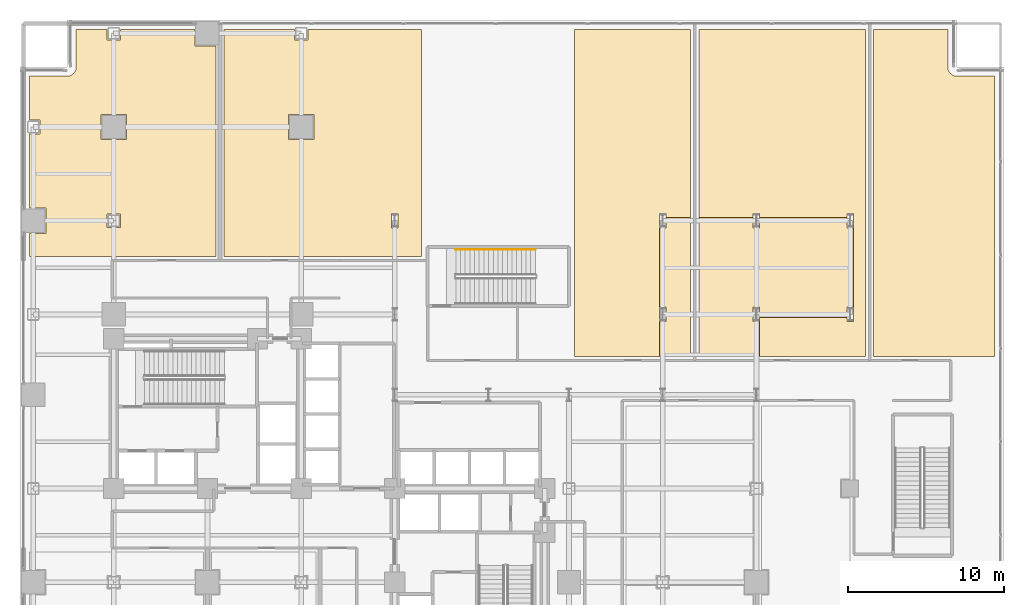
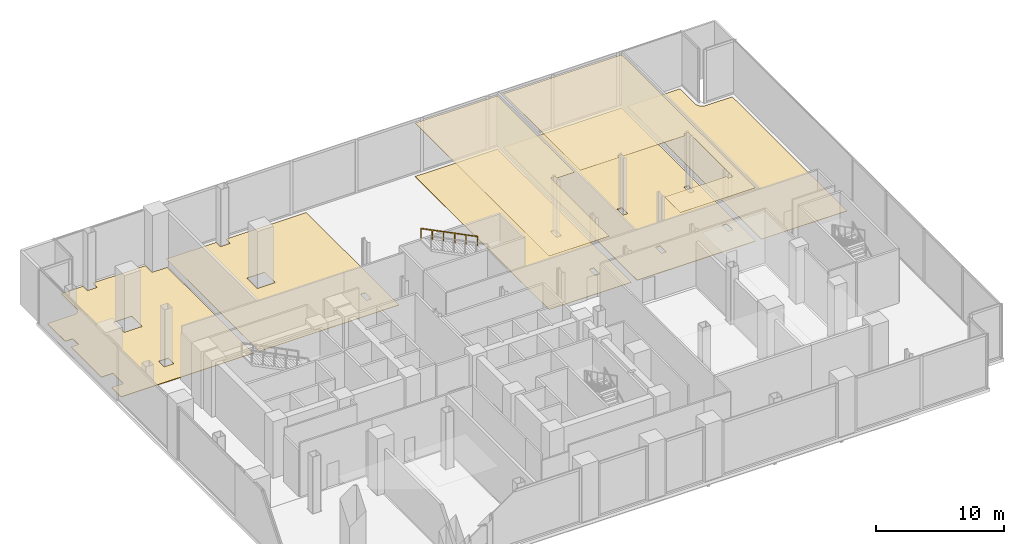
# One storey, part 27 of 27: 7 coverings, 1 railing.
"""IFC4 building model written with IfcOpenShell, lengths in metres."""

from ifc_helpers import new_model, si_unit, direction, frame, origin, origin_2d, place, context, subcontext, project, spatial, polyline, rectangle, outline, extrude, material, layer, layer_set, type_object, element, save


model = new_model("IFC4")

# Units and contexts
model_context = context("Model", 3, precision=1e-05, world=origin(), true_north=direction((0.0, 1.0)))
body_context = subcontext(model_context, "Body", "Model", "MODEL_VIEW")
ifc_project = project(units=[si_unit("LENGTHUNIT", "METRE"), si_unit("AREAUNIT", "SQUARE_METRE"), si_unit("VOLUMEUNIT", "CUBIC_METRE"), si_unit("PLANEANGLEUNIT", "RADIAN"), si_unit("MASSUNIT", "GRAM", prefix="KILO"), si_unit("THERMODYNAMICTEMPERATUREUNIT", "KELVIN"), si_unit("POWERUNIT", "WATT")], contexts=[model_context])

# Site, building, storey
site_placement = place(None, origin())
site = spatial("IfcSite", under=ifc_project, at=site_placement, CompositionType="ELEMENT")
building_placement = place(site_placement, origin())
building = spatial("IfcBuilding", under=site, at=building_placement, Name="Svarakhadi Broadcast Tower", CompositionType="ELEMENT")
storey_placement = place(building_placement, frame((0.0, 0.0, 5.699951171875)))
storey = spatial("IfcBuildingStorey", under=building, at=storey_placement, Name="L01", CompositionType="ELEMENT", Elevation=5.699951171875)

# Coverings
ifc_material_1 = material(Name="Micro-Perforated Mineral Fibre Acoustic Ceiling Tile", Category="mineral_fibre")
ifc_layer_1 = layer(ifc_material_1, 0.02490234375)
ifc_layer_set_1 = layer_set([ifc_layer_1], Name="Micro-Perforated Mineral Fibre Acoustic Ceiling Tile")
covering_type_1 = type_object("IfcCoveringType", Name="Cov_Ceiling_Tile", PredefinedType="CEILING", material=ifc_layer_set_1)
covering_1_placement = place(storey_placement, frame((0.0, 0.0, 5.10009765625)))
element("IfcCovering", 1, at=covering_1_placement, inside=storey, type_object=covering_type_1, Name="L01 L01 Satellite Ingest and Playout Office Acoustic Ceiling", PredefinedType="CEILING", context=body_context, shape_type="SweptSolid", body=[
    extrude(outline(polyline([(42.93994140625, 47.389892578125), (42.93994140625, 35.360107421875), (41.360107421875, 35.360107421875), (41.360107421875, 35.610107421875), (40.93994140625, 35.610107421875), (40.93994140625, 35.360107421875), (40.93994140625, 34.93994140625), (40.93994140625, 34.68994140625), (40.93994140625, 29.610107421875), (40.93994140625, 29.360107421875), (40.93994140625, 28.93994140625), (40.93994140625, 28.68994140625), (40.93994140625, 26.4599609375), (35.510009765625, 26.4599609375), (35.510009765625, 47.389892578125), (42.93994140625, 47.389892578125)])), origin(), (0.0, 0.0, 1.0), 0.02490234375),
])
covering_2_placement = place(storey_placement, frame((0.0, 0.0, 5.10009765625)))
element("IfcCovering", 2, at=covering_2_placement, inside=storey, type_object=covering_type_1, Name="L01 L01 Editorial Conference Room Acoustic Ceiling", PredefinedType="CEILING", context=body_context, shape_type="SweptSolid", body=[
    extrude(outline(polyline([(54.139892578125, 47.389892578125), (54.139892578125, 26.4599609375), (47.360107421875, 26.4599609375), (47.360107421875, 28.68994140625), (47.360107421875, 28.93994140625), (52.93994140625, 28.93994140625), (52.93994140625, 28.68994140625), (53.360107421875, 28.68994140625), (53.360107421875, 28.93994140625), (53.360107421875, 29.360107421875), (53.360107421875, 29.610107421875), (53.360107421875, 34.68994140625), (53.360107421875, 34.93994140625), (53.360107421875, 35.360107421875), (53.360107421875, 35.610107421875), (52.93994140625, 35.610107421875), (52.93994140625, 35.360107421875), (47.360107421875, 35.360107421875), (47.360107421875, 35.610107421875), (46.93994140625, 35.610107421875), (46.93994140625, 35.360107421875), (43.4599609375, 35.360107421875), (43.4599609375, 47.389892578125), (54.139892578125, 47.389892578125)])), origin(), (0.0, 0.0, 1.0), 0.02490234375),
])
ifc_material_2 = material(Name="Heavy-Duty Anti-Static Broadcast Raised Access Floor", Category="steel")
ifc_layer_2 = layer(ifc_material_2, 0.050048828125)
ifc_layer_set_2 = layer_set([ifc_layer_2], Name="Heavy-Duty Anti-Static Broadcast Raised Access Floor")
covering_type_2 = type_object("IfcCoveringType", Name="Cov_Floor_Access", PredefinedType="FLOORING", material=ifc_layer_set_2)
covering_3_placement = place(storey_placement, origin())
element("IfcCovering", 3, at=covering_3_placement, inside=storey, type_object=covering_type_2, Name="L01 L01 Editorial Conference Room Floor Finish", PredefinedType="FLOORING", context=body_context, shape_type="SweptSolid", body=[
    extrude(outline(polyline([(54.139892578125, 47.389892578125), (54.139892578125, 26.4599609375), (43.4599609375, 26.4599609375), (43.4599609375, 47.389892578125), (54.139892578125, 47.389892578125)]), holes=[polyline([(46.93994140625, 28.68994140625), (47.360107421875, 28.68994140625), (47.360107421875, 29.610107421875), (46.93994140625, 29.610107421875), (46.93994140625, 28.68994140625)]), polyline([(52.93994140625, 28.68994140625), (53.360107421875, 28.68994140625), (53.360107421875, 29.610107421875), (52.93994140625, 29.610107421875), (52.93994140625, 28.68994140625)]), polyline([(46.93994140625, 34.68994140625), (47.360107421875, 34.68994140625), (47.360107421875, 35.610107421875), (46.93994140625, 35.610107421875), (46.93994140625, 34.68994140625)]), polyline([(52.93994140625, 34.68994140625), (53.360107421875, 34.68994140625), (53.360107421875, 35.610107421875), (52.93994140625, 35.610107421875), (52.93994140625, 34.68994140625)])]), origin(), (0.0, 0.0, 1.0), 0.050048828125),
])
covering_4_placement = place(storey_placement, origin())
element("IfcCovering", 4, at=covering_4_placement, inside=storey, type_object=covering_type_2, Name="L01 L01 Television Drama Studio B Floor Finish", PredefinedType="FLOORING", context=body_context, shape_type="SweptSolid", body=[
    extrude(outline(polyline([(0.610107421875, 32.860107421875), (0.610107421875, 34.340087890625), (1.659912109375, 34.340087890625), (1.659912109375, 35.9599609375), (0.610107421875, 35.9599609375), (0.610107421875, 40.715087890625), (1.284912109375, 40.715087890625), (1.284912109375, 41.5849609375), (0.610107421875, 41.5849609375), (0.610107421875, 44.39990234375), (3.0, 44.39990234375), (3.009033203125, 44.39990234375), (3.050048828125, 44.402099609375), (3.06689453125, 44.404052734375), (3.10791015625, 44.409912109375), (3.1259765625, 44.4130859375), (3.166015625, 44.423095703125), (3.18310546875, 44.428955078125), (3.221923828125, 44.443115234375), (3.239990234375, 44.449951171875), (3.277099609375, 44.468017578125), (3.291015625, 44.47607421875), (3.325927734375, 44.4970703125), (3.339111328125, 44.5048828125), (3.3720703125, 44.529052734375), (3.386962890625, 44.541015625), (3.41796875, 44.569091796875), (3.430908203125, 44.58203125), (3.458984375, 44.613037109375), (3.470947265625, 44.6279296875), (3.4951171875, 44.660888671875), (3.5029296875, 44.674072265625), (3.52392578125, 44.708984375), (3.531982421875, 44.722900390625), (3.550048828125, 44.760009765625), (3.556884765625, 44.778076171875), (3.571044921875, 44.81689453125), (3.576904296875, 44.833984375), (3.5869140625, 44.8740234375), (3.590087890625, 44.89208984375), (3.595947265625, 44.93310546875), (3.597900390625, 44.949951171875), (3.60009765625, 44.990966796875), (3.60009765625, 45.0), (3.60009765625, 47.389892578125), (5.56494140625, 47.389892578125), (5.56494140625, 46.715087890625), (6.43505859375, 46.715087890625), (6.43505859375, 47.389892578125), (11.18994140625, 47.389892578125), (11.18994140625, 46.340087890625), (12.5400390625, 46.340087890625), (12.5400390625, 32.860107421875), (0.610107421875, 32.860107421875)]), holes=[polyline([(5.56494140625, 34.715087890625), (6.43505859375, 34.715087890625), (6.43505859375, 35.5849609375), (5.56494140625, 35.5849609375), (5.56494140625, 34.715087890625)]), polyline([(5.18994140625, 40.340087890625), (6.81005859375, 40.340087890625), (6.81005859375, 41.9599609375), (5.18994140625, 41.9599609375), (5.18994140625, 40.340087890625)])]), origin(), (0.0, 0.0, 1.0), 0.050048828125),
])
ifc_material_3 = material(Name="Honed Konkan Basalt Stone Tile Flooring", Category="masonry")
ifc_layer_3 = layer(ifc_material_3, 0.034912109375)
ifc_layer_set_3 = layer_set([ifc_layer_3], Name="Honed Konkan Basalt Stone Tile Flooring")
covering_type_3 = type_object("IfcCoveringType", Name="Cov_Floor_Basalt", PredefinedType="FLOORING", material=ifc_layer_set_3)
covering_5_placement = place(storey_placement, origin())
element("IfcCovering", 5, at=covering_5_placement, inside=storey, type_object=covering_type_3, Name="L01 L01 Satellite Ingest and Playout Office Floor Finish", PredefinedType="FLOORING", context=body_context, shape_type="SweptSolid", body=[
    extrude(outline(polyline([(42.93994140625, 47.389892578125), (42.93994140625, 26.4599609375), (35.510009765625, 26.4599609375), (35.510009765625, 47.389892578125), (42.93994140625, 47.389892578125)]), holes=[polyline([(40.93994140625, 28.68994140625), (41.360107421875, 28.68994140625), (41.360107421875, 29.610107421875), (40.93994140625, 29.610107421875), (40.93994140625, 28.68994140625)]), polyline([(40.93994140625, 34.68994140625), (41.360107421875, 34.68994140625), (41.360107421875, 35.610107421875), (40.93994140625, 35.610107421875), (40.93994140625, 34.68994140625)])]), origin(), (0.0, 0.0, 1.0), 0.03515625),
])
covering_6_placement = place(storey_placement, origin())
element("IfcCovering", 6, at=covering_6_placement, inside=storey, type_object=covering_type_3, Name="L01 L01 Broadcast Technical Operations Office Floor Finish", PredefinedType="FLOORING", context=body_context, shape_type="SweptSolid", body=[
    extrude(outline(polyline([(54.659912109375, 47.389892578125), (59.39990234375, 47.389892578125), (59.39990234375, 45.0), (59.39990234375, 44.990966796875), (59.402099609375, 44.949951171875), (59.404052734375, 44.93310546875), (59.409912109375, 44.89208984375), (59.4130859375, 44.8740234375), (59.423095703125, 44.833984375), (59.428955078125, 44.81689453125), (59.443115234375, 44.778076171875), (59.449951171875, 44.760009765625), (59.468017578125, 44.722900390625), (59.47607421875, 44.708984375), (59.4970703125, 44.674072265625), (59.5048828125, 44.660888671875), (59.529052734375, 44.6279296875), (59.541015625, 44.613037109375), (59.569091796875, 44.58203125), (59.58203125, 44.569091796875), (59.613037109375, 44.541015625), (59.6279296875, 44.529052734375), (59.660888671875, 44.5048828125), (59.674072265625, 44.4970703125), (59.708984375, 44.47607421875), (59.722900390625, 44.468017578125), (59.760009765625, 44.449951171875), (59.778076171875, 44.443115234375), (59.81689453125, 44.428955078125), (59.833984375, 44.423095703125), (59.8740234375, 44.4130859375), (59.89208984375, 44.409912109375), (59.93310546875, 44.404052734375), (59.949951171875, 44.402099609375), (59.990966796875, 44.39990234375), (60.0, 44.39990234375), (62.389892578125, 44.39990234375), (62.389892578125, 26.4599609375), (54.659912109375, 26.4599609375), (54.659912109375, 47.389892578125)])), origin(), (0.0, 0.0, 1.0), 0.03515625),
])
covering_7_placement = place(storey_placement, origin())
element("IfcCovering", 7, at=covering_7_placement, inside=storey, type_object=covering_type_3, Name="L01 L01 Scenic Prop Storage Room Floor Finish", PredefinedType="FLOORING", context=body_context, shape_type="SweptSolid", body=[
    extrude(outline(polyline([(17.56494140625, 47.389892578125), (17.56494140625, 46.715087890625), (18.43505859375, 46.715087890625), (18.43505859375, 47.389892578125), (25.68994140625, 47.389892578125), (25.68994140625, 32.860107421875), (13.06005859375, 32.860107421875), (13.06005859375, 47.389892578125), (17.56494140625, 47.389892578125)]), holes=[polyline([(23.7900390625, 34.68994140625), (24.2099609375, 34.68994140625), (24.2099609375, 35.610107421875), (23.7900390625, 35.610107421875), (23.7900390625, 34.68994140625)]), polyline([(17.18994140625, 40.340087890625), (18.81005859375, 40.340087890625), (18.81005859375, 41.9599609375), (17.18994140625, 41.9599609375), (17.18994140625, 40.340087890625)])]), origin(), (0.0, 0.0, 1.0), 0.03515625),
])

# Railing
ifc_material_4 = material(Name="Anodised Bronze Aluminium AA 6063-T6", Category="aluminium")
railing_type = type_object("IfcRailingType", Name="Handrail_Stair_HR01", PredefinedType="HANDRAIL", material=ifc_material_4)
railing_placement = place(storey_placement, frame((33.0, 33.31005859375, 2.85009765625)))
element("IfcRailing", 8, at=railing_placement, inside=storey, type_object=railing_type, Name="L01 ST-03 stair handrail 2", PredefinedType="HANDRAIL", context=body_context, shape_type="SweptSolid", body=[
    extrude(rectangle(XDim=0.048095703125, YDim=0.048095703125, at=origin_2d()), frame((0.0, 0.0, 0.8759765625), z_axis=(-0.894427191, 0.0, 0.4472135955), x_axis=(0.0, -1.0, 0.0)), (0.0, 0.0, 1.0), 5.7021484375),
    extrude(rectangle(XDim=0.0419921875, YDim=0.0419921875, at=origin_2d()), origin(), (0.0, 0.0, 1.0), 0.851806640625),
    extrude(rectangle(XDim=0.0419921875, YDim=0.0419921875, at=origin_2d()), frame((-1.02001953125, 0.0, 0.510009765625)), (0.0, 0.0, 1.0), 0.851806640625),
    extrude(rectangle(XDim=0.0419921875, YDim=0.0419921875, at=origin_2d()), frame((-2.0400390625, 0.0, 1.02001953125)), (0.0, 0.0, 1.0), 0.851806640625),
    extrude(rectangle(XDim=0.0419921875, YDim=0.0419921875, at=origin_2d()), frame((-3.06005859375, 0.0, 1.530029296875)), (0.0, 0.0, 1.0), 0.851806640625),
    extrude(rectangle(XDim=0.0419921875, YDim=0.0419921875, at=origin_2d()), frame((-4.080078125, 0.0, 2.0400390625)), (0.0, 0.0, 1.0), 0.851806640625),
    extrude(rectangle(XDim=0.0419921875, YDim=0.0419921875, at=origin_2d()), frame((-5.10009765625, 0.0, 2.550048828125)), (0.0, 0.0, 1.0), 0.851806640625),
])

save(model, "model.ifc")
